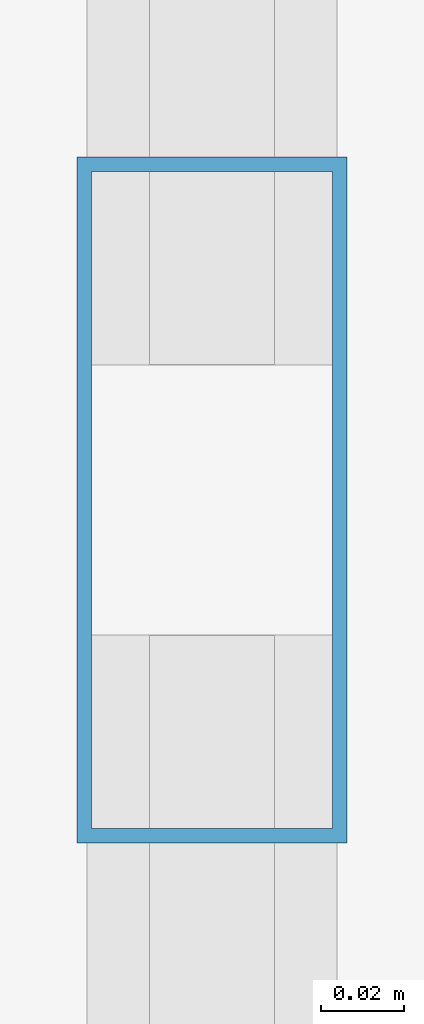
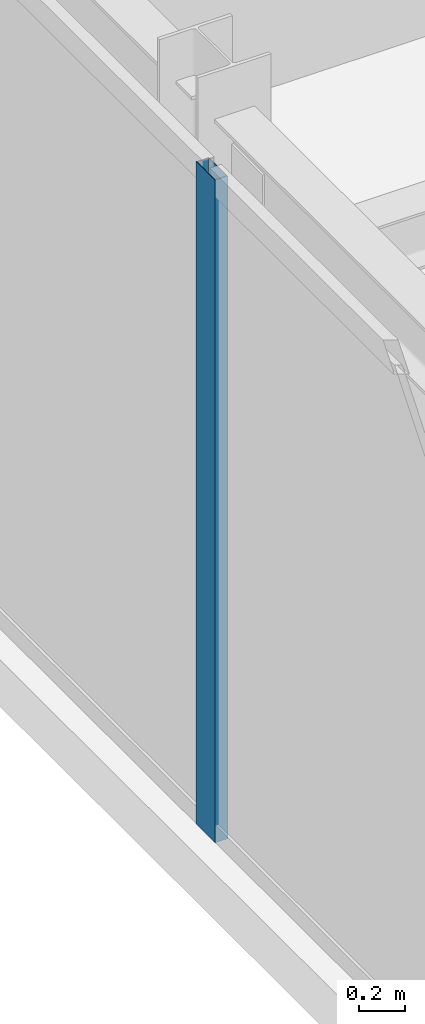
# One storey, part 10 of 30: 1 member, 1 element without a shape of its own.
"""IFC4 building model written with IfcOpenShell, lengths in metres."""

from ifc_helpers import new_model, si_unit, direction, frame, origin, origin_2d, place, context, subcontext, project, spatial, hollow_rectangle, extrude, source, transform, mapped, material, layer, layer_set, material_profile, profile_set, type_object, type_shapes, element, aggregate, save


model = new_model("IFC4")

# Units and contexts
model_context = context("Model", 3, precision=1e-05, world=origin(), true_north=direction((0.0, 1.0)))
body_context = subcontext(model_context, "Body", "Model", "MODEL_VIEW")
ifc_project = project(units=[si_unit("LENGTHUNIT", "METRE"), si_unit("AREAUNIT", "SQUARE_METRE"), si_unit("VOLUMEUNIT", "CUBIC_METRE"), si_unit("PLANEANGLEUNIT", "RADIAN"), si_unit("MASSUNIT", "GRAM", prefix="KILO")], contexts=[model_context])

# Site, building, storey
site_placement = place(None, origin())
site = spatial("IfcSite", under=ifc_project, at=site_placement, CompositionType="ELEMENT")
building_placement = place(site_placement, origin())
building = spatial("IfcBuilding", under=site, at=building_placement, Name="Varnel Quay Broadcast Tower", CompositionType="ELEMENT")
storey_placement = place(building_placement, frame((0.0, 0.0, 211.199951171875)))
storey = spatial("IfcBuildingStorey", under=building, at=storey_placement, Name="L52", CompositionType="ELEMENT", Elevation=211.199951171875)

# Curtain wall, member
ifc_material = material(Name="Anodised Bronze Aluminium 6063-T6", Category="aluminium")
ifc_layer = layer(ifc_material, 0.18994140625, Name="Anodised Bronze Aluminium 6063-T6")
ifc_layer_set = layer_set([ifc_layer], Name="Anodised Bronze Aluminium 6063-T6")
curtain_wall_type = type_object("IfcCurtainWallType", Name="CW_UpperTower", PredefinedType="NOTDEFINED", material=ifc_layer_set)
curtain_wall_placement = place(storey_placement, origin())
curtain_wall = element("IfcCurtainWall", 1, at=curtain_wall_placement, inside=storey, type_object=curtain_wall_type, Name="L52 West Unitised Curtain Wall", PredefinedType="NOTDEFINED")
ifc_material_profile = material_profile(ifc_material, hollow_rectangle(XDim=0.06494140625, YDim=0.1650390625, WallThickness=0.00341796875, at=origin_2d()), Name="ALU65X165X3.5")
ifc_profile_set = profile_set([ifc_material_profile], Name="Anodised Bronze Aluminium 6063-T6")
member_type = type_object("IfcMemberType", Name="Mull_CWS-03", PredefinedType="MULLION", material=ifc_profile_set)
shared_shape = source(origin(), body_context, "Body", "SweptSolid", [
    extrude(hollow_rectangle(XDim=0.06494140625, YDim=0.1650390625, WallThickness=0.00341796875, at=origin_2d()), origin(), (0.0, 0.0, 1.0), 3.550048828125),
])
type_shapes(member_type, [shared_shape])
member_placement = place(storey_placement, frame((9.64990234375, 28.5, 0.0), z_axis=(0.0, 0.0, 1.0), x_axis=(-1.0, 0.0, 0.0)))
member = element("IfcMember", 2, at=member_placement, type_object=member_type, Name="CWS-03 mullion 2", PredefinedType="MULLION", context=body_context, shape_type="MappedRepresentation", body=[
    mapped(shared_shape, transform((0.0, 0.0, 0.0), x_axis=(1.0, 0.0, 0.0), y_axis=(0.0, 1.0, 0.0), z_axis=(0.0, 0.0, 1.0), scale=1.0)),
])
aggregate(curtain_wall, [member])

save(model, "model.ifc")
